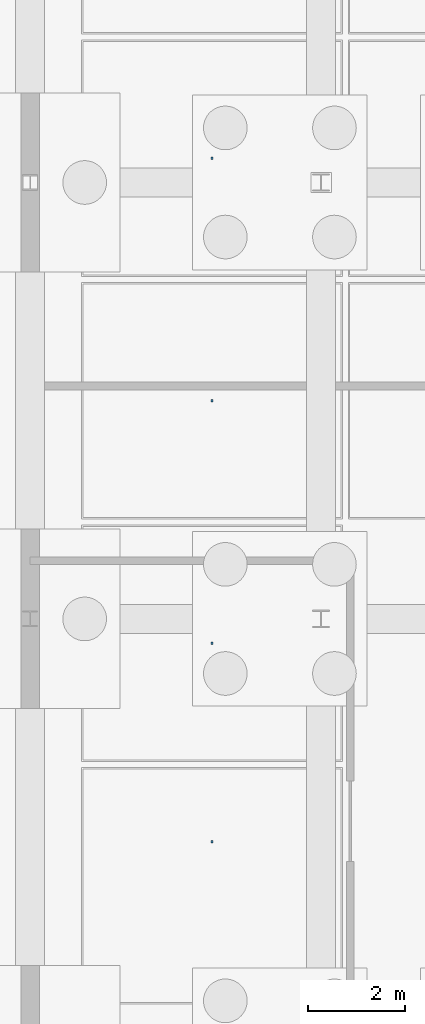
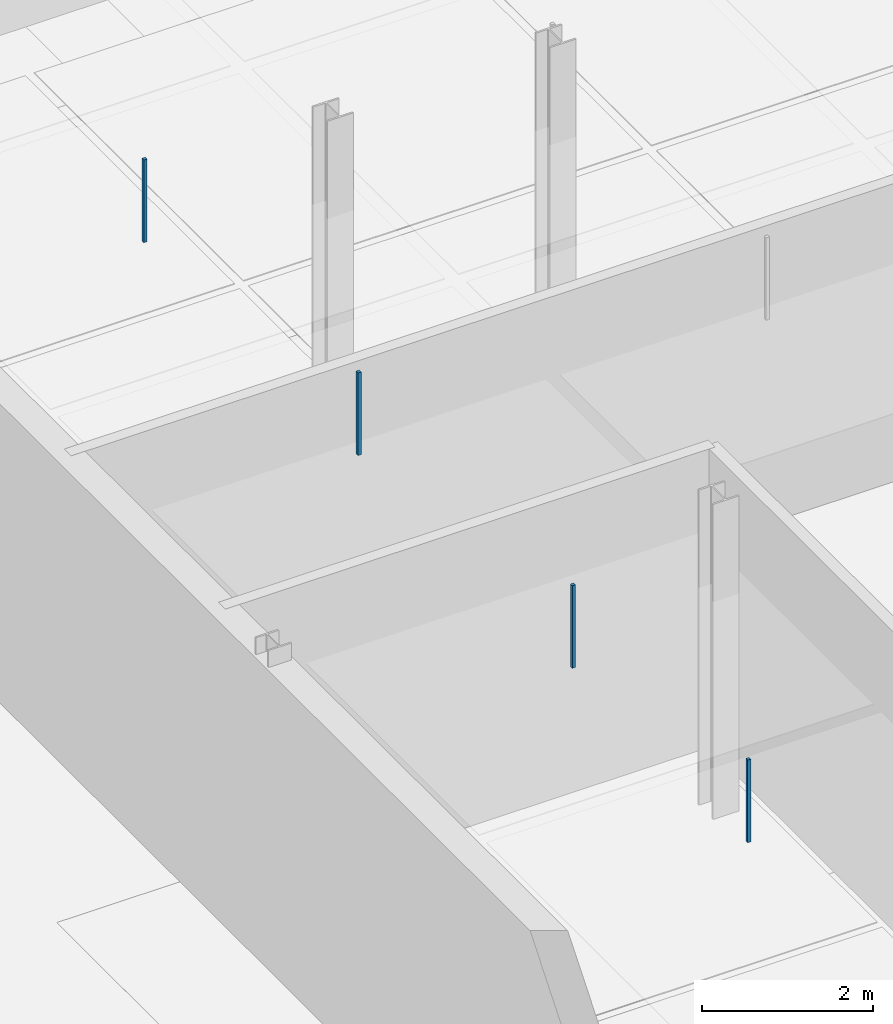
# One storey, part 34 of 48: 4 discrete accessories.
"""IFC4 building model written with IfcOpenShell, lengths in metres."""

from ifc_helpers import new_model, si_unit, direction, frame, origin, origin_2d, place, context, subcontext, project, spatial, rectangle, extrude, material, type_object, element, save


model = new_model("IFC4")

# Units and contexts
model_context = context("Model", 3, precision=1e-05, world=origin(), true_north=direction((0.0, 1.0)))
body_context = subcontext(model_context, "Body", "Model", "MODEL_VIEW")
ifc_project = project(units=[si_unit("LENGTHUNIT", "METRE"), si_unit("AREAUNIT", "SQUARE_METRE"), si_unit("VOLUMEUNIT", "CUBIC_METRE"), si_unit("PLANEANGLEUNIT", "RADIAN"), si_unit("MASSUNIT", "GRAM", prefix="KILO"), si_unit("THERMODYNAMICTEMPERATUREUNIT", "KELVIN"), si_unit("POWERUNIT", "WATT")], contexts=[model_context])

# Site, building, storey
site_placement = place(None, origin())
site = spatial("IfcSite", under=ifc_project, at=site_placement, CompositionType="ELEMENT")
building_placement = place(site_placement, origin())
building = spatial("IfcBuilding", under=site, at=building_placement, Name="Tallowbark Science Centre", CompositionType="ELEMENT")
storey_placement = place(building_placement, frame((0.0, 0.0, -4.5)))
storey = spatial("IfcBuildingStorey", under=building, at=storey_placement, Name="B1", CompositionType="ELEMENT", Elevation=-4.5)

# Discrete accessories
ifc_material = material(Name="Galvanised Steel Grade C350L0 (350 MPa)", Category="steel")
discrete_accessory_type = type_object("IfcDiscreteAccessoryType", Name="ACC-CLG-HNG", PredefinedType="BRACKET", material=ifc_material)
for number, where, z_axis, x_axis, name in (
    (1, (66.75, 76.405029296875, 3.10498046875), (0.0, 0.0, 1.0), (1.0, 0.0, 0.0), "Ceiling Hanger Bracket B1-34"),
    (2, (66.75, 80.5, 3.10498046875), (0.0, 0.0, 1.0), (1.0, 0.0, 0.0), "Ceiling Hanger Bracket B1-35"),
    (3, (66.75, 85.5, 3.10498046875), (0.0, 0.0, 1.0), (1.0, 0.0, 0.0), "Ceiling Hanger Bracket B1-36"),
    (4, (66.75, 90.5, 3.10498046875), (0.0, 0.0, 1.0), (1.0, 0.0, 0.0), "Ceiling Hanger Bracket B1-37"),
):
    element("IfcDiscreteAccessory", number, at=place(storey_placement, frame(where, z_axis=z_axis, x_axis=x_axis)), inside=storey, type_object=discrete_accessory_type, Name=name, PredefinedType="BRACKET", context=body_context, shape_type="SweptSolid", body=[
        extrude(rectangle(XDim=0.044921875, YDim=0.044921875, at=origin_2d()), origin(), (0.0, 0.0, 1.0), 1.177978515625),
    ])

save(model, "model.ifc")
